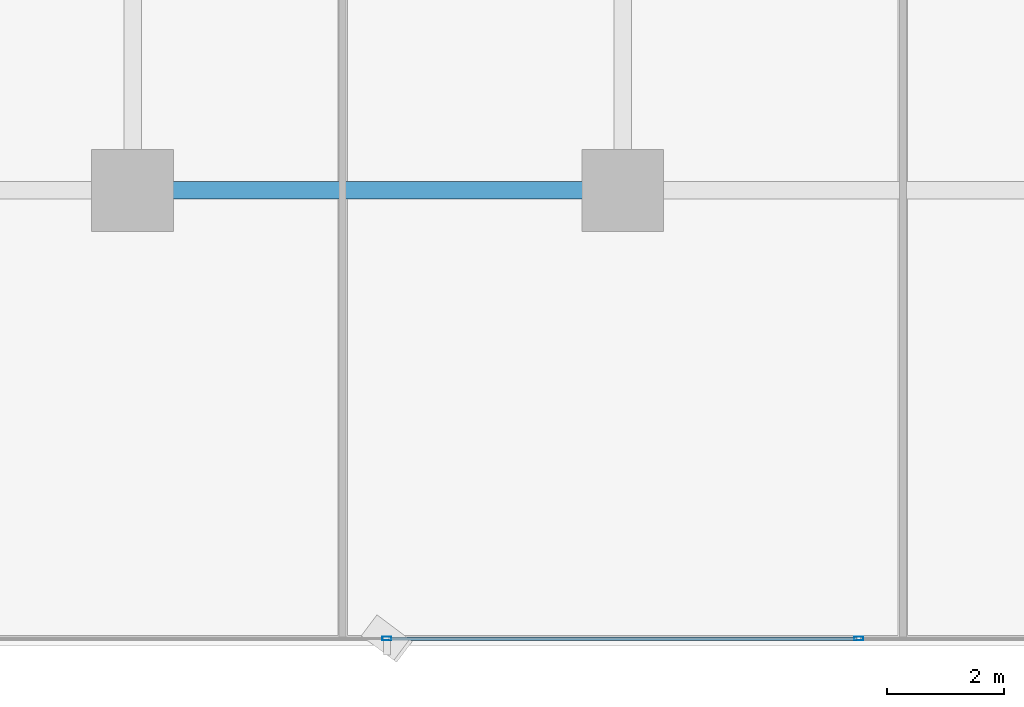
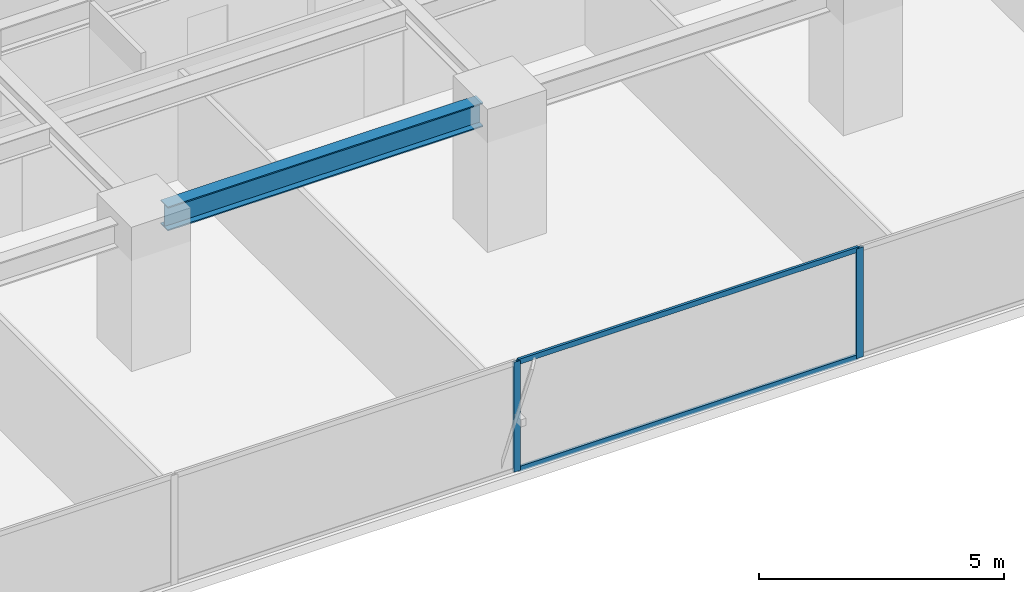
# One storey, part 6 of 37: 4 members, 1 beam, 1 element without a shape of its own.
"""IFC4 building model written with IfcOpenShell, lengths in metres."""

from ifc_helpers import new_model, si_unit, direction, frame, origin, origin_2d, place, context, subcontext, project, spatial, hollow_rectangle, i_section, extrude, source, transform, mapped, material, layer, layer_set, material_profile, profile_set, type_object, element, aggregate, save


model = new_model("IFC4")

# Units and contexts
model_context = context("Model", 3, precision=1e-05, world=origin(), true_north=direction((0.0, 1.0)))
body_context = subcontext(model_context, "Body", "Model", "MODEL_VIEW")
ifc_project = project(units=[si_unit("LENGTHUNIT", "METRE"), si_unit("AREAUNIT", "SQUARE_METRE"), si_unit("VOLUMEUNIT", "CUBIC_METRE"), si_unit("PLANEANGLEUNIT", "RADIAN"), si_unit("MASSUNIT", "GRAM", prefix="KILO")], contexts=[model_context])

# Site, building, storey
site_placement = place(None, origin())
site = spatial("IfcSite", under=ifc_project, at=site_placement, CompositionType="ELEMENT")
building_placement = place(site_placement, origin())
building = spatial("IfcBuilding", under=site, at=building_placement, Name="Sumidabori Civic Tower", CompositionType="ELEMENT")
storey_placement = place(building_placement, frame((0.0, 0.0, 88.39990234375)))
storey = spatial("IfcBuildingStorey", under=building, at=storey_placement, Name="L22", CompositionType="ELEMENT", Elevation=88.39990234375)

# Beam
ifc_material_1 = material(Name="Steel SN490", Category="steel")
ifc_material_profile_1 = material_profile(ifc_material_1, i_section(OverallWidth=0.300048828125, OverallDepth=0.60009765625, WebThickness=0.015380859375, FlangeThickness=0.030029296875, at=origin_2d()), Name="HE 600 B")
ifc_profile_set_1 = profile_set([ifc_material_profile_1], Name="Steel SN490")
beam_type = type_object("IfcBeamType", Name="BM-GIRD-600", PredefinedType="BEAM", material=ifc_profile_set_1)
shared_shape_1 = source(origin(), body_context, "Body", "SweptSolid", [
    extrude(i_section(OverallWidth=0.300048828125, OverallDepth=0.60009765625, WebThickness=0.015380859375, FlangeThickness=0.030029296875, at=origin_2d()), origin(), (0.0, 0.0, 1.0), 7.43994140625),
])
beam_placement = place(storey_placement, frame((-7.919921875, -18.0, 3.06005859375), z_axis=(1.0, 0.0, 0.0), x_axis=(0.0, 1.0, 0.0)))
element("IfcBeam", 1, at=beam_placement, inside=storey, type_object=beam_type, Name="Primary Girder L22 GX-03", PredefinedType="BEAM", context=body_context, shape_type="MappedRepresentation", body=[
    mapped(shared_shape_1, transform((0.0, 0.0, 0.0), x_axis=(1.0, 0.0, 0.0), y_axis=(0.0, 1.0, 0.0), z_axis=(0.0, 0.0, 1.0), scale=1.0)),
])

# Curtain wall, members
ifc_material_2 = material(Name="Anodised Bronze Aluminium AW-6063-T6", Category="aluminium")
ifc_layer = layer(ifc_material_2, 0.179931640625, Name="Anodised Bronze Aluminium AW-6063-T6")
ifc_layer_set = layer_set([ifc_layer], Name="Anodised Bronze Aluminium AW-6063-T6")
curtain_wall_type = type_object("IfcCurtainWallType", Name="CW-SYS-3", PredefinedType="NOTDEFINED", material=ifc_layer_set)
curtain_wall_placement = place(storey_placement, origin())
curtain_wall = element("IfcCurtainWall", 2, at=curtain_wall_placement, inside=storey, type_object=curtain_wall_type, Name="Curtain Wall CW:L22:R01", PredefinedType="NOTDEFINED")
ifc_material_profile_2 = material_profile(ifc_material_2, hollow_rectangle(XDim=0.06494140625, YDim=0.159912109375, WallThickness=0.0048828125, at=origin_2d()), Name="ALU MULLION 160x65")
ifc_profile_set_2 = profile_set([ifc_material_profile_2], Name="Anodised Bronze Aluminium AW-6063-T6")
member_type_1 = type_object("IfcMemberType", Name="CW-MUL-160", PredefinedType="MULLION", material=ifc_profile_set_2)
shared_shape_2 = source(origin(), body_context, "Body", "SweptSolid", [
    extrude(hollow_rectangle(XDim=0.06494140625, YDim=0.159912109375, WallThickness=0.0048828125, at=origin_2d()), origin(), (0.0, 0.0, 1.0), 2.739990234375),
])
member_1_placement = place(storey_placement, frame((-4.0439453125, -25.679931640625, 0.0), z_axis=(0.0, 0.0, 1.0), x_axis=(0.0, 1.0, 0.0)))
member_1 = element("IfcMember", 3, at=member_1_placement, type_object=member_type_1, Name="CW-3 mullion 3", PredefinedType="MULLION", context=body_context, shape_type="MappedRepresentation", body=[
    mapped(shared_shape_2, transform((0.0, 0.0, 0.0), x_axis=(1.0, 0.0, 0.0), y_axis=(0.0, 1.0, 0.0), z_axis=(0.0, 0.0, 1.0), scale=1.0)),
])
member_2_placement = place(storey_placement, frame((4.0439453125, -25.679931640625, 0.0), z_axis=(0.0, 0.0, 1.0), x_axis=(0.0, 1.0, 0.0)))
member_2 = element("IfcMember", 4, at=member_2_placement, type_object=member_type_1, Name="CW-3 mullion 4", PredefinedType="MULLION", context=body_context, shape_type="MappedRepresentation", body=[
    mapped(shared_shape_2, transform((0.0, 0.0, 0.0), x_axis=(1.0, 0.0, 0.0), y_axis=(0.0, 1.0, 0.0), z_axis=(0.0, 0.0, 1.0), scale=1.0)),
])
ifc_material_profile_3 = material_profile(ifc_material_2, hollow_rectangle(XDim=0.06005859375, YDim=0.1298828125, WallThickness=0.0048828125, at=origin_2d()), Name="ALU TRANSOM 130x60")
ifc_profile_set_3 = profile_set([ifc_material_profile_3], Name="Anodised Bronze Aluminium AW-6063-T6")
member_type_2 = type_object("IfcMemberType", Name="CW-TRN-130", PredefinedType="USERDEFINED", material=ifc_profile_set_3)
shared_shape_3 = source(origin(), body_context, "Body", "SweptSolid", [
    extrude(hollow_rectangle(XDim=0.06005859375, YDim=0.1298828125, WallThickness=0.0048828125, at=origin_2d()), origin(), (0.0, 0.0, 1.0), 8.02294921875),
])
member_3_placement = place(storey_placement, frame((-4.011474609375, -25.679931640625, 0.030029296875), z_axis=(1.0, 0.0, 0.0), x_axis=(0.0, 1.0, 0.0)))
member_3 = element("IfcMember", 5, at=member_3_placement, type_object=member_type_2, Name="CW-3 transom 3.1", ObjectType="TRANSOM", PredefinedType="USERDEFINED", context=body_context, shape_type="MappedRepresentation", body=[
    mapped(shared_shape_3, transform((0.0, 0.0, 0.0), x_axis=(1.0, 0.0, 0.0), y_axis=(0.0, 1.0, 0.0), z_axis=(0.0, 0.0, 1.0), scale=1.0)),
])
member_4_placement = place(storey_placement, frame((-4.011474609375, -25.679931640625, 2.710205078125), z_axis=(1.0, 0.0, 0.0), x_axis=(0.0, 1.0, 0.0)))
member_4 = element("IfcMember", 6, at=member_4_placement, type_object=member_type_2, Name="CW-3 transom 3.2", ObjectType="TRANSOM", PredefinedType="USERDEFINED", context=body_context, shape_type="MappedRepresentation", body=[
    mapped(shared_shape_3, transform((0.0, 0.0, 0.0), x_axis=(1.0, 0.0, 0.0), y_axis=(0.0, 1.0, 0.0), z_axis=(0.0, 0.0, 1.0), scale=1.0)),
])
aggregate(curtain_wall, [member_1, member_2, member_3, member_4])

save(model, "model.ifc")
